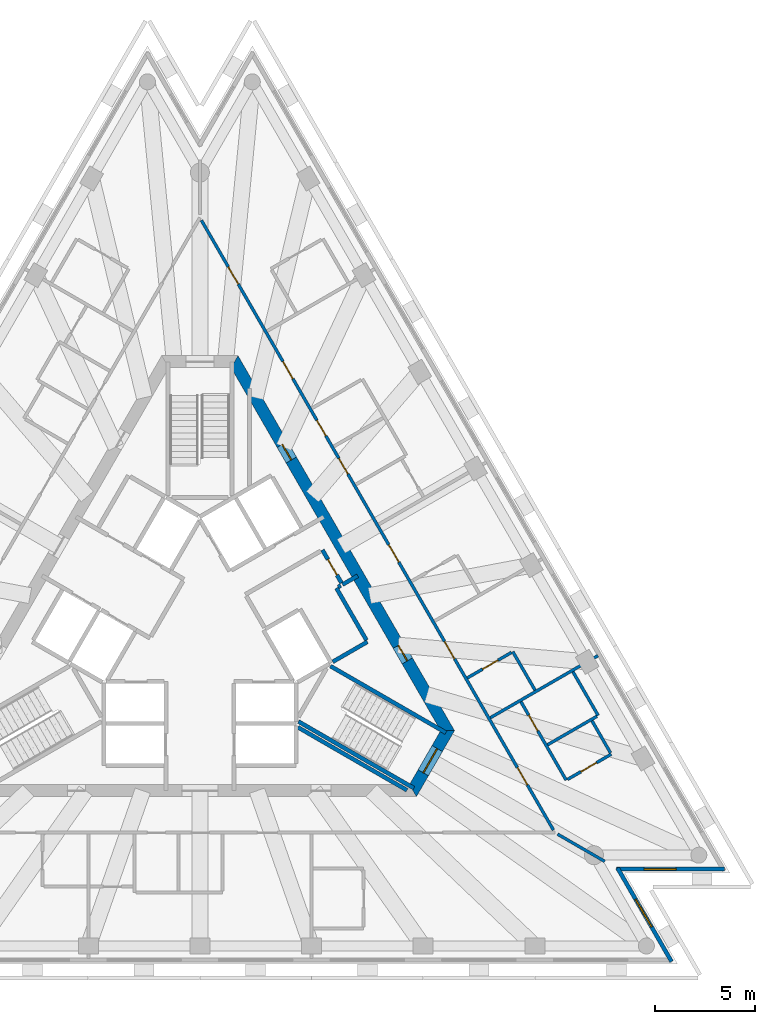
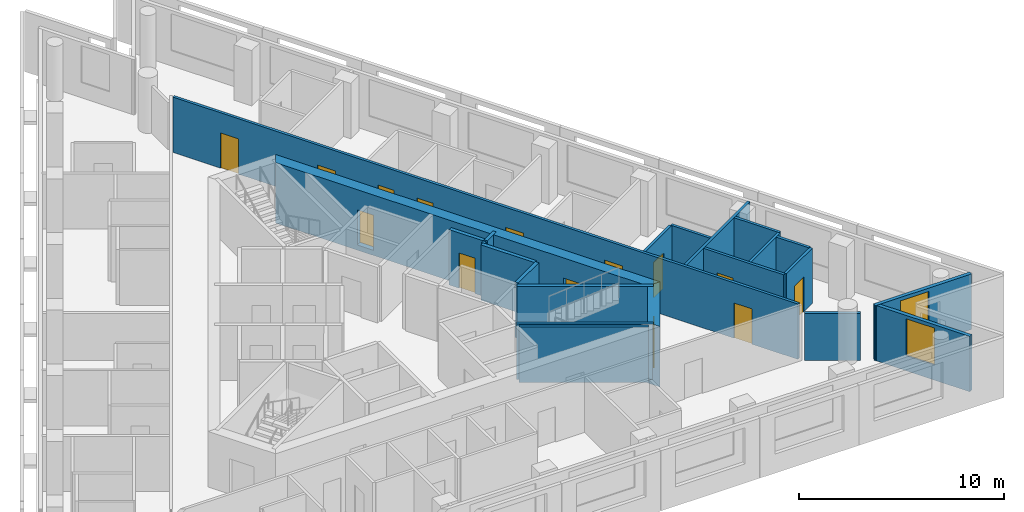
# One storey, part 6 of 10: 22 walls, 14 doors, 2 windows, 16 openings.
"""IFC4 building model written with IfcOpenShell, lengths in metres."""

from ifc_helpers import new_model, si_unit, direction, frame, frame_2d, origin, place, context, subcontext, project, spatial, polyline, rectangle, outline, extrude, material, layer, layer_set, layer_usage, type_object, element, fill, save


model = new_model("IFC4")

# Units and contexts
model_context = context("Model", 3, precision=1e-05, world=origin(), true_north=direction((0.0, 1.0)))
body_context = subcontext(model_context, "Body", "Model", "MODEL_VIEW")
ifc_project = project(units=[si_unit("LENGTHUNIT", "METRE"), si_unit("AREAUNIT", "SQUARE_METRE"), si_unit("VOLUMEUNIT", "CUBIC_METRE"), si_unit("PLANEANGLEUNIT", "RADIAN"), si_unit("MASSUNIT", "GRAM", prefix="KILO")], contexts=[model_context])

# Site, building, storey
site_placement = place(None, origin())
site = spatial("IfcSite", under=ifc_project, at=site_placement, CompositionType="ELEMENT")
building_placement = place(site_placement, origin())
building = spatial("IfcBuilding", under=site, at=building_placement, Name="Triada Interchange Tower", CompositionType="ELEMENT")
storey_placement = place(building_placement, frame((0.0, 0.0, 268.300048828125)))
storey = spatial("IfcBuildingStorey", under=building, at=storey_placement, Name="L62", CompositionType="ELEMENT", Elevation=268.300048828125)

# Wall
ifc_material_1 = material(Name="Concrete C30/37", Category="concrete")
ifc_layer_1 = layer(ifc_material_1, 0.199951171875)
ifc_layer_set_1 = layer_set([ifc_layer_1], Name="CORE WALL 200 EI 120")
wall_type_1 = type_object("IfcWallType", Name="CORE WALL 200 EI 120", PredefinedType="SOLIDWALL", material=ifc_layer_set_1)
wall_1_placement = place(storey_placement, frame((7.12890625, 2.153076171875, 0.0), z_axis=(0.0, 0.0, 1.0), x_axis=(0.866083962871, 0.499898558967, 0.0)))
element("IfcWall", 1, at=wall_1_placement, inside=storey, type_object=wall_type_1, Name="Wall L62 87", PredefinedType="SOLIDWALL", context=body_context, shape_type="SweptSolid", body=[
    extrude(rectangle(XDim=0.880126953125, YDim=0.199951171875, at=frame_2d((0.43994140625, 0.0))), origin(), (0.0, 0.0, 1.0), 3.300048828125),
])

# Wall, opening, door
wall_2_placement = place(storey_placement, frame((6.12890625, 3.885009765625, 0.0), z_axis=(0.0, 0.0, 1.0), x_axis=(0.499952260202, -0.866052964615, 0.0)))
wall_2 = element("IfcWall", 2, at=wall_2_placement, inside=storey, type_object=wall_type_1, Name="Wall L62 88", PredefinedType="SOLIDWALL", context=body_context, shape_type="SweptSolid", body=[
    extrude(rectangle(XDim=1.900634765625, YDim=0.199951171875, at=frame_2d((0.9501953125, 0.0))), origin(), (0.0, 0.0, 1.0), 3.300048828125),
])
opening_1_placement = place(wall_2_placement, frame((0.550048828125, 0.0, 0.0)))
opening_1 = element("IfcOpeningElement", 3, at=opening_1_placement, cuts=wall_2, Name="Opening D62-58", PredefinedType="OPENING", context=body_context, shape_type="SweptSolid", body=[
    extrude(rectangle(XDim=0.89990234375, YDim=2.10009765625, at=frame_2d((0.449951171875, 1.050048828125))), frame((0.0, 0.10986328125, 0.0), z_axis=(0.0, -1.0, 0.0), x_axis=(1.0, 0.0, 0.0)), (0.0, 0.0, 1.0), 0.219970703125),
])
ifc_material_2 = material(Name="Steel S235 door leaf", Category="steel")
door_type_1 = type_object("IfcDoorType", Name="SERVICE DOOR 900 EI2 45-C5S200", OperationType="NOTDEFINED", PredefinedType="DOOR", material=ifc_material_2)
door_1_placement = place(opening_1_placement, origin())
door_1 = element("IfcDoor", 4, at=door_1_placement, inside=storey, type_object=door_type_1, Name="Door D62-58 L62", OperationType="SINGLE_SWING_LEFT", OverallHeight=2.10009765625, OverallWidth=0.89990234375, PredefinedType="DOOR", context=body_context, shape_type="SweptSolid", body=[
    extrude(rectangle(XDim=0.89990234375, YDim=2.10009765625, at=frame_2d((0.449951171875, 1.050048828125))), frame((0.0, 0.02490234375, 0.0), z_axis=(0.0, -1.0, 0.0), x_axis=(1.0, 0.0, 0.0)), (0.0, 0.0, 1.0), 0.050048828125),
])
fill(opening_1, door_1)

# Walls
ifc_layer_2 = layer(ifc_material_1, 0.199951171875)
ifc_layer_set_2 = layer_set([ifc_layer_2], Name="CORE WALL 200 EI 90")
wall_type_2 = type_object("IfcWallType", Name="CORE WALL 200 EI 90", PredefinedType="SOLIDWALL", material=ifc_layer_set_2)
wall_3_placement = place(storey_placement, frame((4.89990234375, -4.97998046875, 0.0), z_axis=(0.0, 0.0, 1.0), x_axis=(0.866074613031, -0.499914757397, 0.0)))
element("IfcWall", 5, at=wall_3_placement, inside=storey, type_object=wall_type_2, Name="Wall L62 108", PredefinedType="SOLIDWALL", context=body_context, shape_type="SweptSolid", body=[
    extrude(rectangle(XDim=6.30078125, YDim=0.199951171875, at=frame_2d((3.150390625, 0.0))), origin(), (0.0, 0.0, 1.0), 3.300048828125),
])
wall_4_placement = place(storey_placement, frame((6.64208984375, -1.7080078125, 0.0), z_axis=(0.0, 0.0, 1.0), x_axis=(0.866043441391, 0.499968756647, 0.0)))
element("IfcWall", 6, at=wall_4_placement, inside=storey, type_object=wall_type_2, Name="Wall L62 109", PredefinedType="SOLIDWALL", context=body_context, shape_type="SweptSolid", body=[
    extrude(rectangle(XDim=2.002197265625, YDim=0.199951171875, at=frame_2d((1.0009765625, 0.0))), origin(), (0.0, 0.0, 1.0), 3.300048828125),
])
wall_5_placement = place(storey_placement, frame((6.825927734375, 1.97802734375, 0.0), z_axis=(0.0, 0.0, 1.0), x_axis=(0.499990139034, -0.866031096941, 0.0)))
element("IfcWall", 7, at=wall_5_placement, inside=storey, type_object=wall_type_2, Name="Wall L62 110", PredefinedType="SOLIDWALL", context=body_context, shape_type="SweptSolid", body=[
    extrude(rectangle(XDim=3.0, YDim=0.199951171875, at=frame_2d((1.5, 0.0))), origin(), (0.0, 0.0, 1.0), 3.300048828125),
])
wall_6_placement = place(storey_placement, frame((6.912109375, 2.028076171875, 0.0), z_axis=(0.0, 0.0, 1.0), x_axis=(0.866559367082, 0.499074005857, 0.0)))
element("IfcWall", 8, at=wall_6_placement, inside=storey, type_object=wall_type_2, Name="Wall L62 111", PredefinedType="SOLIDWALL", context=body_context, shape_type="SweptSolid", body=[
    extrude(rectangle(XDim=0.152099609375, YDim=0.199951171875, at=frame_2d((0.076171875, 0.0))), origin(), (0.0, 0.0, 1.0), 3.300048828125),
])
ifc_layer_3 = layer(ifc_material_1, 0.199951171875)
ifc_layer_set_3 = layer_set([ifc_layer_3], Name="CORE WALL 200 REI 240")
wall_type_3 = type_object("IfcWallType", Name="CORE WALL 200 REI 240", PredefinedType="SOLIDWALL", material=ifc_layer_set_3)
wall_7_placement = place(storey_placement, frame((4.928955078125, -4.693115234375, 0.0), z_axis=(0.0, 0.0, 1.0), x_axis=(0.866005022404, -0.500035299925, 0.0)))
element("IfcWall", 9, at=wall_7_placement, inside=storey, type_object=wall_type_3, Name="Wall L62 118", PredefinedType="SOLIDWALL", context=body_context, shape_type="SweptSolid", body=[
    extrude(rectangle(XDim=6.6650390625, YDim=0.199951171875, at=frame_2d((3.33251953125, 0.0))), origin(), (0.0, 0.0, 1.0), 3.300048828125),
])
wall_8_placement = place(storey_placement, frame((6.529052734375, -1.922119140625, 0.0), z_axis=(0.0, 0.0, 1.0), x_axis=(0.866068467981, -0.499925403204, 0.0)))
element("IfcWall", 10, at=wall_8_placement, inside=storey, type_object=wall_type_3, Name="Wall L62 120", PredefinedType="SOLIDWALL", context=body_context, shape_type="SweptSolid", body=[
    extrude(rectangle(XDim=6.66455078125, YDim=0.199951171875, at=frame_2d((3.332275390625, 0.0))), origin(), (0.0, 0.0, 1.0), 3.300048828125),
])

# Wall, opening, door
ifc_material_3 = material(Name="Concrete C40/50", Category="concrete")
ifc_layer_4 = layer(ifc_material_3, 0.60009765625)
ifc_layer_set_4 = layer_set([ifc_layer_4], Name="Core wall D 600")
wall_type_4 = type_object("IfcWallType", Name="Core wall D 600", PredefinedType="SHEAR", material=ifc_layer_set_4)
wall_9_placement = place(storey_placement, frame((10.652099609375, -8.14990234375, -0.300048828125), z_axis=(0.0, 0.0, 1.0), x_axis=(0.49997462182, 0.866040055388, 0.0)))
wall_9 = element("IfcWall", 11, at=wall_9_placement, inside=storey, type_object=wall_type_4, Name="Core wall WD05 L62", PredefinedType="SHEAR", context=body_context, shape_type="SweptSolid", body=[
    extrude(outline(polyline([(-0.173095703125, -0.300048828125), (1.732421875, -0.300537109375), (3.637939453125, -0.301025390625), (3.291015625, 0.300048828125), (1.73193359375, 0.300048828125), (0.173095703125, 0.300048828125), (-0.173095703125, -0.300048828125)])), origin(), (0.0, 0.0, 1.0), 3.60009765625),
])
opening_2_placement = place(wall_9_placement, frame((1.031982421875, 0.0, 0.300048828125)))
opening_2 = element("IfcOpeningElement", 12, at=opening_2_placement, cuts=wall_9, Name="Opening D62-50", PredefinedType="OPENING", context=body_context, shape_type="SweptSolid", body=[
    extrude(rectangle(XDim=1.39990234375, YDim=2.10009765625, at=frame_2d((0.699951171875, 1.050048828125))), frame((0.0, 0.31005859375, 0.0), z_axis=(0.0, -1.0, 0.0), x_axis=(1.0, 0.0, 0.0)), (0.0, 0.0, 1.0), 0.62109375),
])
door_type_2 = type_object("IfcDoorType", Name="STAIR DOOR 1400 EI2 90-C5S200", OperationType="DOUBLE_DOOR_SINGLE_SWING", PredefinedType="DOOR", material=ifc_material_2)
door_2_placement = place(opening_2_placement, origin())
door_2 = element("IfcDoor", 13, at=door_2_placement, inside=storey, type_object=door_type_2, Name="Door D62-50 L62", OperationType="DOUBLE_DOOR_SINGLE_SWING", OverallHeight=2.10009765625, OverallWidth=1.39990234375, PredefinedType="DOOR", context=body_context, shape_type="SweptSolid", body=[
    extrude(rectangle(XDim=1.39990234375, YDim=2.10009765625, at=frame_2d((0.699951171875, 1.050048828125))), frame((0.0, 0.02490234375, 0.0), z_axis=(0.0, -1.0, 0.0), x_axis=(1.0, 0.0, 0.0)), (0.0, 0.0, 1.0), 0.050048828125),
])
fill(opening_2, door_2)

# Wall, openings, doors
wall_10_placement = place(storey_placement, frame((12.384033203125, -5.14990234375, -0.300048828125), z_axis=(0.0, 0.0, 1.0), x_axis=(-0.500000539815, 0.866025092122, 0.0)))
wall_10 = element("IfcWall", 14, at=wall_10_placement, inside=storey, type_object=wall_type_4, Name="Core wall WD06 L62", PredefinedType="SHEAR", context=body_context, shape_type="SweptSolid", body=[
    extrude(outline(polyline([(-0.173095703125, -0.301025390625), (1.795166015625, -0.301025390625), (3.76318359375, -0.30078125), (5.7314453125, -0.30078125), (7.69970703125, -0.30078125), (9.66796875, -0.300537109375), (11.635986328125, -0.300537109375), (13.604248046875, -0.30029296875), (15.572509765625, -0.30029296875), (17.540771484375, -0.30029296875), (19.5087890625, -0.300048828125), (21.47705078125, -0.300048828125), (21.131103515625, 0.300048828125), (19.225830078125, 0.300048828125), (17.320556640625, 0.300048828125), (15.415283203125, 0.300048828125), (13.510009765625, 0.300048828125), (11.604736328125, 0.300048828125), (9.699462890625, 0.300048828125), (7.794189453125, 0.300048828125), (5.888916015625, 0.300048828125), (3.983642578125, 0.300048828125), (2.078369140625, 0.300048828125), (0.173095703125, 0.300048828125), (-0.173095703125, -0.301025390625)])), origin(), (0.0, 0.0, 1.0), 3.60009765625),
])
opening_3_placement = place(wall_10_placement, frame((15.626953125, 0.0, 0.300048828125)))
opening_3 = element("IfcOpeningElement", 15, at=opening_3_placement, cuts=wall_10, Name="Opening D62-55", PredefinedType="OPENING", context=body_context, shape_type="SweptSolid", body=[
    extrude(rectangle(XDim=0.89990234375, YDim=2.10009765625, at=frame_2d((0.449951171875, 1.050048828125))), frame((0.0, 0.31005859375, 0.0), z_axis=(0.0, -1.0, 0.0), x_axis=(1.0, 0.0, 0.0)), (0.0, 0.0, 1.0), 0.62109375),
])
opening_4_placement = place(wall_10_placement, frame((4.02587890625, 0.0, 0.300048828125)))
opening_4 = element("IfcOpeningElement", 16, at=opening_4_placement, cuts=wall_10, Name="Opening D62-57", PredefinedType="OPENING", context=body_context, shape_type="SweptSolid", body=[
    extrude(rectangle(XDim=0.89990234375, YDim=2.10009765625, at=frame_2d((0.449951171875, 1.050048828125))), frame((0.0, 0.31005859375, 0.0), z_axis=(0.0, -1.0, 0.0), x_axis=(1.0, 0.0, 0.0)), (0.0, 0.0, 1.0), 0.62109375),
])
door_type_3 = type_object("IfcDoorType", Name="RISER ACCESS DOOR 900 EI2 45-C5S200", OperationType="NOTDEFINED", PredefinedType="DOOR", material=ifc_material_2)
door_3_placement = place(opening_3_placement, origin())
door_3 = element("IfcDoor", 17, at=door_3_placement, inside=storey, type_object=door_type_3, Name="Door D62-55 L62", OperationType="SINGLE_SWING_RIGHT", OverallHeight=2.10009765625, OverallWidth=0.89990234375, PredefinedType="DOOR", context=body_context, shape_type="SweptSolid", body=[
    extrude(rectangle(XDim=0.89990234375, YDim=2.10009765625, at=frame_2d((0.449951171875, 1.050048828125))), frame((0.0, 0.02490234375, 0.0), z_axis=(0.0, -1.0, 0.0), x_axis=(1.0, 0.0, 0.0)), (0.0, 0.0, 1.0), 0.050048828125),
])
fill(opening_3, door_3)
door_4_placement = place(opening_4_placement, origin())
door_4 = element("IfcDoor", 18, at=door_4_placement, inside=storey, type_object=door_type_1, Name="Door D62-57 L62", OperationType="SINGLE_SWING_RIGHT", OverallHeight=2.10009765625, OverallWidth=0.89990234375, PredefinedType="DOOR", context=body_context, shape_type="SweptSolid", body=[
    extrude(rectangle(XDim=0.89990234375, YDim=2.10009765625, at=frame_2d((0.449951171875, 1.050048828125))), frame((0.0, 0.02490234375, 0.0), z_axis=(0.0, -1.0, 0.0), x_axis=(1.0, 0.0, 0.0)), (0.0, 0.0, 1.0), 0.050048828125),
])
fill(opening_4, door_4)

# Wall, opening, window
ifc_material_4 = material(Name="Cement board")
ifc_layer_5 = layer(ifc_material_4, 0.02001953125, Name="Cement board cladding")
ifc_material_5 = material(Name="Sheathing board")
ifc_layer_6 = layer(ifc_material_5, 0.014892578125, Name="Sheathing board")
ifc_material_6 = material(Name="Mineral wool")
ifc_layer_7 = layer(ifc_material_6, 0.14990234375, Name="Mineral wool between steel studs")
ifc_material_7 = material(Name="Gypsum board")
ifc_layer_8 = layer(ifc_material_7, 0.014892578125, Name="Plasterboard lining")
ifc_layer_set_5 = layer_set([ifc_layer_5, ifc_layer_6, ifc_layer_7, ifc_layer_8], Name="External wall 200")
ifc_layer_usage = layer_usage(ifc_layer_set_5, "AXIS2", "POSITIVE", -0.10009765625)
wall_type_5 = type_object("IfcWallType", Name="External wall 200", PredefinedType="ELEMENTEDWALL", material=ifc_layer_set_5)
wall_11_placement = place(storey_placement, frame((23.583984375, -16.695068359375, 0.0), z_axis=(0.0, 0.0, 1.0), x_axis=(-0.499972735707, 0.866041144259, 0.0)))
wall_11 = element("IfcWall", 19, at=wall_11_placement, inside=storey, type_object=wall_type_5, material=ifc_layer_usage, Name="External wall L62 SE-1", PredefinedType="ELEMENTEDWALL", context=body_context, shape_type="SweptSolid", body=[
    extrude(rectangle(XDim=5.404052734375, YDim=0.199951171875, at=frame_2d((2.7021484375, 0.0))), origin(), (0.0, 0.0, 1.0), 3.300048828125),
])
opening_5_placement = place(wall_11_placement, frame((1.989990234375, 0.0, 0.89990234375)))
opening_5 = element("IfcOpeningElement", 20, at=opening_5_placement, cuts=wall_11, Name="Opening WD19", PredefinedType="OPENING", context=body_context, shape_type="SweptSolid", body=[
    extrude(rectangle(XDim=1.60009765625, YDim=2.199951171875, at=frame_2d((0.800048828125, 1.10009765625))), frame((0.0, 0.10986328125, 0.0), z_axis=(0.0, -1.0, 0.0), x_axis=(1.0, 0.0, 0.0)), (0.0, 0.0, 1.0), 0.219970703125),
])
ifc_material_8 = material(Name="Double glazed aluminium window", Category="aluminium")
window_type = type_object("IfcWindowType", Name="Ribbon window D pocket", PartitioningType="SINGLE_PANEL", PredefinedType="WINDOW", material=ifc_material_8)
window_1_placement = place(opening_5_placement, origin())
window_1 = element("IfcWindow", 21, at=window_1_placement, inside=storey, type_object=window_type, Name="Window L62 SE-1 1", OverallHeight=2.199951171875, OverallWidth=1.60009765625, PartitioningType="SINGLE_PANEL", PredefinedType="WINDOW", context=body_context, shape_type="SweptSolid", body=[
    extrude(rectangle(XDim=1.60009765625, YDim=2.199951171875, at=frame_2d((0.800048828125, 1.10009765625))), frame((0.0, 0.030029296875, 0.0), z_axis=(0.0, -1.0, 0.0), x_axis=(1.0, 0.0, 0.0)), (0.0, 0.0, 1.0), 0.06005859375),
])
fill(opening_5, window_1)

wall_12_placement = place(storey_placement, frame((20.826904296875, -12.075927734375, 0.0), z_axis=(0.0, 0.0, 1.0), x_axis=(1.0, 0.0, 0.0)))
wall_12 = element("IfcWall", 22, at=wall_12_placement, inside=storey, type_object=wall_type_5, material=ifc_layer_usage, Name="External wall L62 SE-2", PredefinedType="ELEMENTEDWALL", context=body_context, shape_type="SweptSolid", body=[
    extrude(rectangle(XDim=5.403076171875, YDim=0.199951171875, at=frame_2d((2.70166015625, 0.0))), origin(), (0.0, 0.0, 1.0), 3.300048828125),
])
opening_6_placement = place(wall_12_placement, frame((1.389892578125, 0.0, 0.89990234375)))
opening_6 = element("IfcOpeningElement", 23, at=opening_6_placement, cuts=wall_12, Name="Opening WD20", PredefinedType="OPENING", context=body_context, shape_type="SweptSolid", body=[
    extrude(rectangle(XDim=1.60009765625, YDim=2.199951171875, at=frame_2d((0.800048828125, 1.10009765625))), frame((0.0, 0.10986328125, 0.0), z_axis=(0.0, -1.0, 0.0), x_axis=(1.0, 0.0, 0.0)), (0.0, 0.0, 1.0), 0.219970703125),
])
window_2_placement = place(opening_6_placement, origin())
window_2 = element("IfcWindow", 24, at=window_2_placement, inside=storey, type_object=window_type, Name="Window L62 SE-2 1", OverallHeight=2.199951171875, OverallWidth=1.60009765625, PartitioningType="SINGLE_PANEL", PredefinedType="WINDOW", context=body_context, shape_type="SweptSolid", body=[
    extrude(rectangle(XDim=1.60009765625, YDim=2.199951171875, at=frame_2d((0.800048828125, 1.10009765625))), frame((0.0, 0.030029296875, 0.0), z_axis=(0.0, -1.0, 0.0), x_axis=(1.0, 0.0, 0.0)), (0.0, 0.0, 1.0), 0.06005859375),
])
fill(opening_6, window_2)

# Wall
ifc_material_9 = material(Name="Gypsum board partition")
ifc_layer_9 = layer(ifc_material_9, 0.14990234375)
ifc_layer_set_6 = layer_set([ifc_layer_9], Name="PARTITION 150 EI 180")
wall_type_6 = type_object("IfcWallType", Name="PARTITION 150 EI 180", PredefinedType="PARTITIONING", material=ifc_layer_set_6)
wall_13_placement = place(storey_placement, frame((17.883056640625, -10.323974609375, 0.0), z_axis=(0.0, 0.0, 1.0), x_axis=(0.865910811146, -0.500198427768, 0.0)))
element("IfcWall", 25, at=wall_13_placement, inside=storey, type_object=wall_type_6, Name="Wall L62 8", PredefinedType="PARTITIONING", context=body_context, shape_type="SweptSolid", body=[
    extrude(rectangle(XDim=2.72314453125, YDim=0.14990234375, at=frame_2d((1.361572265625, 0.0))), origin(), (0.0, 0.0, 1.0), 2.800048828125),
])

# Wall, openings, doors
wall_14_placement = place(storey_placement, frame((0.074951171875, 20.3701171875, 0.0), z_axis=(0.0, 0.0, 1.0), x_axis=(0.499988971979, -0.866031770721, 0.0)))
wall_14 = element("IfcWall", 26, at=wall_14_placement, inside=storey, type_object=wall_type_6, Name="Wall L62 22", PredefinedType="PARTITIONING", context=body_context, shape_type="SweptSolid", body=[
    extrude(rectangle(XDim=35.206787109375, YDim=0.14990234375, at=frame_2d((17.603515625, 0.0))), origin(), (0.0, 0.0, 1.0), 3.300048828125),
])
opening_7_placement = place(wall_14_placement, frame((31.60595703125, 0.0, 0.0)))
opening_7 = element("IfcOpeningElement", 27, at=opening_7_placement, cuts=wall_14, Name="Opening D62-21", PredefinedType="OPENING", context=body_context, shape_type="SweptSolid", body=[
    extrude(rectangle(XDim=1.0, YDim=2.10009765625, at=frame_2d((0.5, 1.050048828125))), frame((0.0, 0.0849609375, 0.0), z_axis=(0.0, -1.0, 0.0), x_axis=(1.0, 0.0, 0.0)), (0.0, 0.0, 1.0), 0.169921875),
])
opening_8_placement = place(wall_14_placement, frame((24.31591796875, 0.0, 0.0)))
opening_8 = element("IfcOpeningElement", 28, at=opening_8_placement, cuts=wall_14, Name="Opening D62-24", PredefinedType="OPENING", context=body_context, shape_type="SweptSolid", body=[
    extrude(rectangle(XDim=1.0, YDim=2.10009765625, at=frame_2d((0.5, 1.050048828125))), frame((0.0, 0.0849609375, 0.0), z_axis=(0.0, -1.0, 0.0), x_axis=(1.0, 0.0, 0.0)), (0.0, 0.0, 1.0), 0.169921875),
])
opening_9_placement = place(wall_14_placement, frame((18.735107421875, 0.0, 0.0)))
opening_9 = element("IfcOpeningElement", 29, at=opening_9_placement, cuts=wall_14, Name="Opening D62-26", PredefinedType="OPENING", context=body_context, shape_type="SweptSolid", body=[
    extrude(rectangle(XDim=1.0, YDim=2.10009765625, at=frame_2d((0.5, 1.050048828125))), frame((0.0, 0.0849609375, 0.0), z_axis=(0.0, -1.0, 0.0), x_axis=(1.0, 0.0, 0.0)), (0.0, 0.0, 1.0), 0.169921875),
])
opening_10_placement = place(wall_14_placement, frame((8.154052734375, 0.0, 0.0)))
opening_10 = element("IfcOpeningElement", 30, at=opening_10_placement, cuts=wall_14, Name="Opening D62-28", PredefinedType="OPENING", context=body_context, shape_type="SweptSolid", body=[
    extrude(rectangle(XDim=1.0, YDim=2.10009765625, at=frame_2d((0.5, 1.050048828125))), frame((0.0, 0.0849609375, 0.0), z_axis=(0.0, -1.0, 0.0), x_axis=(1.0, 0.0, 0.0)), (0.0, 0.0, 1.0), 0.169921875),
])
opening_11_placement = place(wall_14_placement, frame((13.75390625, 0.0, 0.0)))
opening_11 = element("IfcOpeningElement", 31, at=opening_11_placement, cuts=wall_14, Name="Opening D62-30", PredefinedType="OPENING", context=body_context, shape_type="SweptSolid", body=[
    extrude(rectangle(XDim=0.89990234375, YDim=2.10009765625, at=frame_2d((0.449951171875, 1.050048828125))), frame((0.0, 0.0849609375, 0.0), z_axis=(0.0, -1.0, 0.0), x_axis=(1.0, 0.0, 0.0)), (0.0, 0.0, 1.0), 0.169921875),
])
opening_12_placement = place(wall_14_placement, frame((11.553955078125, 0.0, 0.0)))
opening_12 = element("IfcOpeningElement", 32, at=opening_12_placement, cuts=wall_14, Name="Opening D62-31", PredefinedType="OPENING", context=body_context, shape_type="SweptSolid", body=[
    extrude(rectangle(XDim=0.89990234375, YDim=2.10009765625, at=frame_2d((0.449951171875, 1.050048828125))), frame((0.0, 0.0849609375, 0.0), z_axis=(0.0, -1.0, 0.0), x_axis=(1.0, 0.0, 0.0)), (0.0, 0.0, 1.0), 0.169921875),
])
opening_13_placement = place(wall_14_placement, frame((2.68994140625, 0.0, 0.0)))
opening_13 = element("IfcOpeningElement", 33, at=opening_13_placement, cuts=wall_14, Name="Opening D62-32", PredefinedType="OPENING", context=body_context, shape_type="SweptSolid", body=[
    extrude(rectangle(XDim=1.0, YDim=2.10009765625, at=frame_2d((0.5, 1.050048828125))), frame((0.0, 0.0849609375, 0.0), z_axis=(0.0, -1.0, 0.0), x_axis=(1.0, 0.0, 0.0)), (0.0, 0.0, 1.0), 0.169921875),
])
door_type_4 = type_object("IfcDoorType", Name="GUEST ROOM DOOR 1000 EI2 90-C5S200", OperationType="NOTDEFINED", PredefinedType="DOOR", material=ifc_material_2)
door_5_placement = place(opening_7_placement, origin())
door_5 = element("IfcDoor", 34, at=door_5_placement, inside=storey, type_object=door_type_4, Name="Door D62-21 L62", OperationType="SINGLE_SWING_RIGHT", OverallHeight=2.10009765625, OverallWidth=1.0, PredefinedType="DOOR", context=body_context, shape_type="SweptSolid", body=[
    extrude(rectangle(XDim=1.0, YDim=2.10009765625, at=frame_2d((0.5, 1.050048828125))), frame((0.0, 0.02490234375, 0.0), z_axis=(0.0, -1.0, 0.0), x_axis=(1.0, 0.0, 0.0)), (0.0, 0.0, 1.0), 0.050048828125),
])
fill(opening_7, door_5)
door_6_placement = place(opening_8_placement, origin())
door_6 = element("IfcDoor", 35, at=door_6_placement, inside=storey, type_object=door_type_4, Name="Door D62-24 L62", OperationType="SINGLE_SWING_RIGHT", OverallHeight=2.10009765625, OverallWidth=1.0, PredefinedType="DOOR", context=body_context, shape_type="SweptSolid", body=[
    extrude(rectangle(XDim=1.0, YDim=2.10009765625, at=frame_2d((0.5, 1.050048828125))), frame((0.0, 0.02490234375, 0.0), z_axis=(0.0, -1.0, 0.0), x_axis=(1.0, 0.0, 0.0)), (0.0, 0.0, 1.0), 0.050048828125),
])
fill(opening_8, door_6)
door_7_placement = place(opening_9_placement, origin())
door_7 = element("IfcDoor", 36, at=door_7_placement, inside=storey, type_object=door_type_4, Name="Door D62-26 L62", OperationType="SINGLE_SWING_RIGHT", OverallHeight=2.10009765625, OverallWidth=1.0, PredefinedType="DOOR", context=body_context, shape_type="SweptSolid", body=[
    extrude(rectangle(XDim=1.0, YDim=2.10009765625, at=frame_2d((0.5, 1.050048828125))), frame((0.0, 0.02490234375, 0.0), z_axis=(0.0, -1.0, 0.0), x_axis=(1.0, 0.0, 0.0)), (0.0, 0.0, 1.0), 0.050048828125),
])
fill(opening_9, door_7)
door_8_placement = place(opening_10_placement, origin())
door_8 = element("IfcDoor", 37, at=door_8_placement, inside=storey, type_object=door_type_4, Name="Door D62-28 L62", OperationType="SINGLE_SWING_RIGHT", OverallHeight=2.10009765625, OverallWidth=1.0, PredefinedType="DOOR", context=body_context, shape_type="SweptSolid", body=[
    extrude(rectangle(XDim=1.0, YDim=2.10009765625, at=frame_2d((0.5, 1.050048828125))), frame((0.0, 0.02490234375, 0.0), z_axis=(0.0, -1.0, 0.0), x_axis=(1.0, 0.0, 0.0)), (0.0, 0.0, 1.0), 0.050048828125),
])
fill(opening_10, door_8)
door_9_placement = place(opening_13_placement, origin())
door_9 = element("IfcDoor", 38, at=door_9_placement, inside=storey, type_object=door_type_4, Name="Door D62-32 L62", OperationType="SINGLE_SWING_LEFT", OverallHeight=2.10009765625, OverallWidth=1.0, PredefinedType="DOOR", context=body_context, shape_type="SweptSolid", body=[
    extrude(rectangle(XDim=1.0, YDim=2.10009765625, at=frame_2d((0.5, 1.050048828125))), frame((0.0, 0.02490234375, 0.0), z_axis=(0.0, -1.0, 0.0), x_axis=(1.0, 0.0, 0.0)), (0.0, 0.0, 1.0), 0.050048828125),
])
fill(opening_13, door_9)
door_type_5 = type_object("IfcDoorType", Name="ROOM DOOR 900 EI2 90-C5S200", OperationType="NOTDEFINED", PredefinedType="DOOR", material=ifc_material_2)
door_10_placement = place(opening_12_placement, origin())
door_10 = element("IfcDoor", 39, at=door_10_placement, inside=storey, type_object=door_type_5, Name="Door D62-31 L62", OperationType="SINGLE_SWING_LEFT", OverallHeight=2.10009765625, OverallWidth=0.89990234375, PredefinedType="DOOR", context=body_context, shape_type="SweptSolid", body=[
    extrude(rectangle(XDim=0.89990234375, YDim=2.10009765625, at=frame_2d((0.449951171875, 1.050048828125))), frame((0.0, 0.02490234375, 0.0), z_axis=(0.0, -1.0, 0.0), x_axis=(1.0, 0.0, 0.0)), (0.0, 0.0, 1.0), 0.050048828125),
])
fill(opening_12, door_10)
door_type_6 = type_object("IfcDoorType", Name="SERVICE DOOR 900 EI2 90-C5S200", OperationType="NOTDEFINED", PredefinedType="DOOR", material=ifc_material_2)
door_11_placement = place(opening_11_placement, origin())
door_11 = element("IfcDoor", 40, at=door_11_placement, inside=storey, type_object=door_type_6, Name="Door D62-30 L62", OperationType="SINGLE_SWING_RIGHT", OverallHeight=2.10009765625, OverallWidth=0.89990234375, PredefinedType="DOOR", context=body_context, shape_type="SweptSolid", body=[
    extrude(rectangle(XDim=0.89990234375, YDim=2.10009765625, at=frame_2d((0.449951171875, 1.050048828125))), frame((0.0, 0.02490234375, 0.0), z_axis=(0.0, -1.0, 0.0), x_axis=(1.0, 0.0, 0.0)), (0.0, 0.0, 1.0), 0.050048828125),
])
fill(opening_11, door_11)

# Walls
wall_15_placement = place(storey_placement, frame((14.52294921875, -4.5048828125, 0.0), z_axis=(0.0, 0.0, 1.0), x_axis=(0.866043575568, 0.499968524226, 0.0)))
element("IfcWall", 41, at=wall_15_placement, inside=storey, type_object=wall_type_6, Name="Wall L62 30", PredefinedType="PARTITIONING", context=body_context, shape_type="SweptSolid", body=[
    extrude(rectangle(XDim=6.21240234375, YDim=0.14990234375, at=frame_2d((3.106201171875, 0.0))), origin(), (0.0, 0.0, 1.0), 3.300048828125),
])
ifc_layer_10 = layer(ifc_material_9, 0.14990234375)
ifc_layer_set_7 = layer_set([ifc_layer_10], Name="PARTITION 150 EI 90")
wall_type_7 = type_object("IfcWallType", Name="PARTITION 150 EI 90", PredefinedType="PARTITIONING", material=ifc_layer_set_7)
wall_16_placement = place(storey_placement, frame((18.653076171875, -2.20703125, 0.0), z_axis=(0.0, 0.0, 1.0), x_axis=(0.499789415832, -0.866146950478, 0.0)))
element("IfcWall", 42, at=wall_16_placement, inside=storey, type_object=wall_type_7, Name="Wall L62 53", PredefinedType="PARTITIONING", context=body_context, shape_type="SweptSolid", body=[
    extrude(rectangle(XDim=2.52490234375, YDim=0.14990234375, at=frame_2d((1.262451171875, 0.0))), origin(), (0.0, 0.0, 1.0), 3.300048828125),
])

# Wall, opening, door
wall_17_placement = place(storey_placement, frame((16.054931640625, -3.70703125, 0.0), z_axis=(0.0, 0.0, 1.0), x_axis=(0.499893710643, -0.866086761277, 0.0)))
wall_17 = element("IfcWall", 43, at=wall_17_placement, inside=storey, type_object=wall_type_7, Name="Wall L62 56", PredefinedType="PARTITIONING", context=body_context, shape_type="SweptSolid", body=[
    extrude(rectangle(XDim=4.52490234375, YDim=0.14990234375, at=frame_2d((2.262451171875, 0.0))), origin(), (0.0, 0.0, 1.0), 3.300048828125),
])
opening_14_placement = place(wall_17_placement, frame((0.77490234375, 0.0, 0.0)))
opening_14 = element("IfcOpeningElement", 44, at=opening_14_placement, cuts=wall_17, Name="Opening D62-22", PredefinedType="OPENING", context=body_context, shape_type="SweptSolid", body=[
    extrude(rectangle(XDim=0.89990234375, YDim=2.10009765625, at=frame_2d((0.449951171875, 1.050048828125))), frame((0.0, 0.0849609375, 0.0), z_axis=(0.0, -1.0, 0.0), x_axis=(1.0, 0.0, 0.0)), (0.0, 0.0, 1.0), 0.169921875),
])
door_type_7 = type_object("IfcDoorType", Name="ROOM DOOR 900 EI2 45-C5S200", OperationType="NOTDEFINED", PredefinedType="DOOR", material=ifc_material_2)
door_12_placement = place(opening_14_placement, origin())
door_12 = element("IfcDoor", 45, at=door_12_placement, inside=storey, type_object=door_type_7, Name="Door D62-22 L62", OperationType="SINGLE_SWING_LEFT", OverallHeight=2.10009765625, OverallWidth=0.89990234375, PredefinedType="DOOR", context=body_context, shape_type="SweptSolid", body=[
    extrude(rectangle(XDim=0.89990234375, YDim=2.10009765625, at=frame_2d((0.449951171875, 1.050048828125))), frame((0.0, 0.02490234375, 0.0), z_axis=(0.0, -1.0, 0.0), x_axis=(1.0, 0.0, 0.0)), (0.0, 0.0, 1.0), 0.050048828125),
])
fill(opening_14, door_12)

# Wall
wall_18_placement = place(storey_placement, frame((15.64697265625, -1.200927734375, 0.0), z_axis=(0.0, 0.0, 1.0), x_axis=(0.499833278392, -0.866121639155, 0.0)))
element("IfcWall", 46, at=wall_18_placement, inside=storey, type_object=wall_type_7, Name="Wall L62 60", PredefinedType="PARTITIONING", context=body_context, shape_type="SweptSolid", body=[
    extrude(rectangle(XDim=2.224853515625, YDim=0.14990234375, at=frame_2d((1.1123046875, 0.0))), origin(), (0.0, 0.0, 1.0), 3.300048828125),
])

# Wall, opening, door
wall_19_placement = place(storey_placement, frame((13.373046875, -2.512939453125, 0.0), z_axis=(0.0, 0.0, 1.0), x_axis=(0.866102706185, 0.499866084405, 0.0)))
wall_19 = element("IfcWall", 47, at=wall_19_placement, inside=storey, type_object=wall_type_7, Name="Wall L62 62", PredefinedType="PARTITIONING", context=body_context, shape_type="SweptSolid", body=[
    extrude(rectangle(XDim=2.550537109375, YDim=0.14990234375, at=frame_2d((1.275390625, 0.0))), origin(), (0.0, 0.0, 1.0), 3.300048828125),
])
opening_15_placement = place(wall_19_placement, frame((0.875, 0.0, 0.0)))
opening_15 = element("IfcOpeningElement", 48, at=opening_15_placement, cuts=wall_19, Name="Opening D62-25", PredefinedType="OPENING", context=body_context, shape_type="SweptSolid", body=[
    extrude(rectangle(XDim=0.89990234375, YDim=2.10009765625, at=frame_2d((0.449951171875, 1.050048828125))), frame((0.0, 0.0849609375, 0.0), z_axis=(0.0, -1.0, 0.0), x_axis=(1.0, 0.0, 0.0)), (0.0, 0.0, 1.0), 0.169921875),
])
door_13_placement = place(opening_15_placement, origin())
door_13 = element("IfcDoor", 49, at=door_13_placement, inside=storey, type_object=door_type_7, Name="Door D62-25 L62", OperationType="SINGLE_SWING_RIGHT", OverallHeight=2.10009765625, OverallWidth=0.89990234375, PredefinedType="DOOR", context=body_context, shape_type="SweptSolid", body=[
    extrude(rectangle(XDim=0.89990234375, YDim=2.10009765625, at=frame_2d((0.449951171875, 1.050048828125))), frame((0.0, 0.02490234375, 0.0), z_axis=(0.0, -1.0, 0.0), x_axis=(1.0, 0.0, 0.0)), (0.0, 0.0, 1.0), 0.050048828125),
])
fill(opening_15, door_13)

# Wall
wall_20_placement = place(storey_placement, frame((17.382080078125, -5.85693359375, 0.0), z_axis=(0.0, 0.0, 1.0), x_axis=(0.866004402611, 0.500036373335, 0.0)))
element("IfcWall", 50, at=wall_20_placement, inside=storey, type_object=wall_type_7, Name="Wall L62 63", PredefinedType="PARTITIONING", context=body_context, shape_type="SweptSolid", body=[
    extrude(rectangle(XDim=2.849853515625, YDim=0.14990234375, at=frame_2d((1.4248046875, 0.0))), origin(), (0.0, 0.0, 1.0), 3.300048828125),
])

# Wall, opening, door
wall_21_placement = place(storey_placement, frame((18.382080078125, -7.589111328125, 0.0), z_axis=(0.0, 0.0, 1.0), x_axis=(0.86593764446, 0.500151972811, 0.0)))
wall_21 = element("IfcWall", 51, at=wall_21_placement, inside=storey, type_object=wall_type_7, Name="Wall L62 64", PredefinedType="PARTITIONING", context=body_context, shape_type="SweptSolid", body=[
    extrude(rectangle(XDim=2.525634765625, YDim=0.14990234375, at=frame_2d((1.2626953125, 0.0))), origin(), (0.0, 0.0, 1.0), 3.300048828125),
])
opening_16_placement = place(wall_21_placement, frame((0.77490234375, 0.0, 0.0)))
opening_16 = element("IfcOpeningElement", 52, at=opening_16_placement, cuts=wall_21, Name="Opening D62-23", PredefinedType="OPENING", context=body_context, shape_type="SweptSolid", body=[
    extrude(rectangle(XDim=0.89990234375, YDim=2.10009765625, at=frame_2d((0.449951171875, 1.050048828125))), frame((0.0, 0.0849609375, 0.0), z_axis=(0.0, -1.0, 0.0), x_axis=(1.0, 0.0, 0.0)), (0.0, 0.0, 1.0), 0.169921875),
])
door_14_placement = place(opening_16_placement, origin())
door_14 = element("IfcDoor", 53, at=door_14_placement, inside=storey, type_object=door_type_1, Name="Door D62-23 L62", OperationType="SINGLE_SWING_LEFT", OverallHeight=2.10009765625, OverallWidth=0.89990234375, PredefinedType="DOOR", context=body_context, shape_type="SweptSolid", body=[
    extrude(rectangle(XDim=0.89990234375, YDim=2.10009765625, at=frame_2d((0.449951171875, 1.050048828125))), frame((0.0, 0.02490234375, 0.0), z_axis=(0.0, -1.0, 0.0), x_axis=(1.0, 0.0, 0.0)), (0.0, 0.0, 1.0), 0.050048828125),
])
fill(opening_16, door_14)

# Wall
wall_22_placement = place(storey_placement, frame((19.60595703125, -4.658935546875, 0.0), z_axis=(0.0, 0.0, 1.0), x_axis=(0.500042316284, -0.866000971088, 0.0)))
element("IfcWall", 54, at=wall_22_placement, inside=storey, type_object=wall_type_7, Name="Wall L62 65", PredefinedType="PARTITIONING", context=body_context, shape_type="SweptSolid", body=[
    extrude(rectangle(XDim=1.849853515625, YDim=0.14990234375, at=frame_2d((0.9248046875, 0.0))), origin(), (0.0, 0.0, 1.0), 3.300048828125),
])

save(model, "model.ifc")
